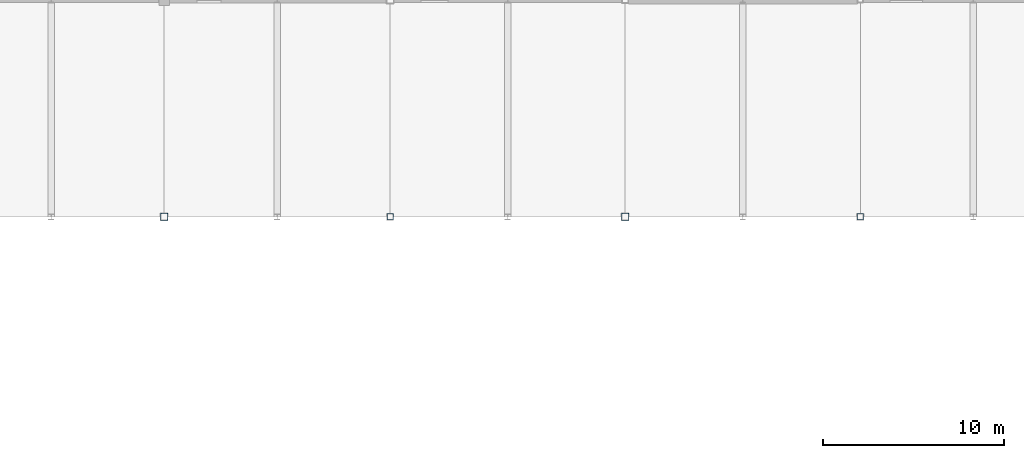
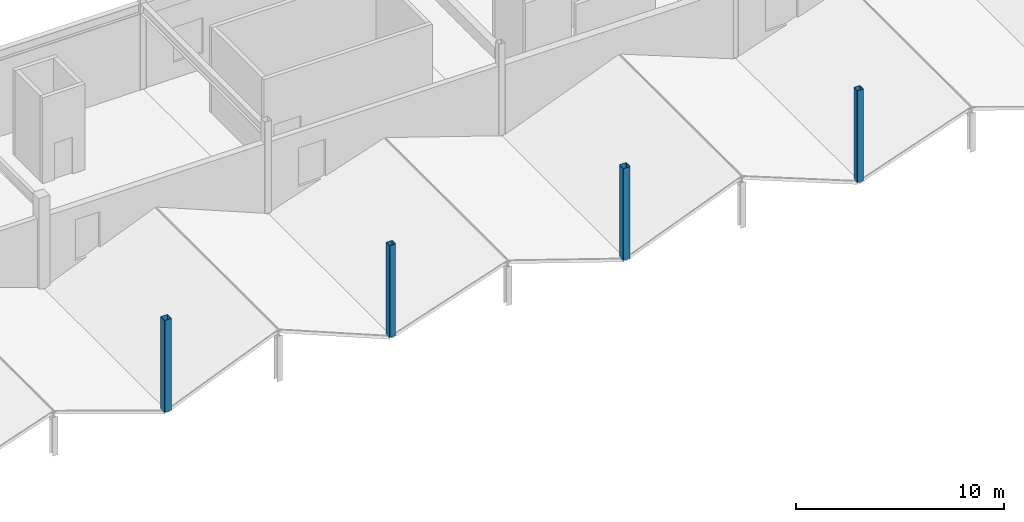
# One storey, part 11 of 76: 4 columns.
"""IFC4 building model written with IfcOpenShell, lengths in metres."""

from ifc_helpers import new_model, si_unit, direction, frame, origin, origin_2d, place, context, subcontext, project, spatial, hollow_rectangle, extrude, material, material_profile, profile_set, type_object, element, save


model = new_model("IFC4")

# Units and contexts
model_context = context("Model", 3, precision=1e-05, world=origin(), true_north=direction((0.0, 1.0)))
body_context = subcontext(model_context, "Body", "Model", "MODEL_VIEW")
ifc_project = project(units=[si_unit("LENGTHUNIT", "METRE"), si_unit("AREAUNIT", "SQUARE_METRE"), si_unit("VOLUMEUNIT", "CUBIC_METRE"), si_unit("PLANEANGLEUNIT", "RADIAN"), si_unit("MASSUNIT", "GRAM", prefix="KILO")], contexts=[model_context])

# Site, building, storey
site_placement = place(None, origin())
site = spatial("IfcSite", under=ifc_project, at=site_placement, CompositionType="ELEMENT")
building_placement = place(site_placement, origin())
building = spatial("IfcBuilding", under=site, at=building_placement, Name="Kazenohara Klinker Stadium", CompositionType="ELEMENT")
storey_placement = place(building_placement, frame((0.0, 0.0, 25.800048828125)))
storey = spatial("IfcBuildingStorey", under=building, at=storey_placement, Name="L05", CompositionType="ELEMENT", Elevation=25.800048828125)

# Columns
ifc_material = material(Name="Steel S355", Category="steel")
ifc_material_profile_1 = material_profile(ifc_material, hollow_rectangle(XDim=0.39990234375, YDim=0.39990234375, WallThickness=0.01611328125, InnerFilletRadius=0.01611328125, OuterFilletRadius=0.031982421875, at=origin_2d()), Name="SHS-400x400x16")
ifc_profile_set_1 = profile_set([ifc_material_profile_1], Name="Steel S355")
column_type_1 = type_object("IfcColumnType", Name="COL-ST01", PredefinedType="COLUMN", material=ifc_profile_set_1)
for number, where, z_axis, x_axis, name in (
    (1, (86.5, 132.0, 0.0), (0.0, 0.0, 1.0), (1.0, 0.0, 0.0), "Canopy ring support column SC01 L05 8/M"),
    (2, (112.0, 132.0, 0.0), (0.0, 0.0, 1.0), (1.0, 0.0, 0.0), "Canopy ring support column SC01 L05 10/M"),
):
    element("IfcColumn", number, at=place(storey_placement, frame(where, z_axis=z_axis, x_axis=x_axis)), inside=storey, type_object=column_type_1, Name=name, PredefinedType="COLUMN", context=body_context, shape_type="SweptSolid", body=[
        extrude(hollow_rectangle(XDim=0.39990234375, YDim=0.39990234375, WallThickness=0.01611328125, InnerFilletRadius=0.01611328125, OuterFilletRadius=0.031982421875, at=origin_2d()), origin(), (0.0, 0.0, 1.0), 5.39990234375),
    ])
ifc_material_profile_2 = material_profile(ifc_material, hollow_rectangle(XDim=0.35009765625, YDim=0.35009765625, WallThickness=0.01611328125, InnerFilletRadius=0.01611328125, OuterFilletRadius=0.031982421875, at=origin_2d()), Name="SHS-350x350x16")
ifc_profile_set_2 = profile_set([ifc_material_profile_2], Name="Steel S355")
column_type_2 = type_object("IfcColumnType", Name="COL-ST02", PredefinedType="COLUMN", material=ifc_profile_set_2)
for number, where, z_axis, x_axis, name in (
    (3, (99.0, 132.0, 0.0), (0.0, 0.0, 1.0), (1.0, 0.0, 0.0), "Canopy ring support column SC02 L05 9/M"),
    (4, (125.0, 132.0, 0.0), (0.0, 0.0, 1.0), (1.0, 0.0, 0.0), "Canopy ring support column SC02 L05 11/M"),
):
    element("IfcColumn", number, at=place(storey_placement, frame(where, z_axis=z_axis, x_axis=x_axis)), inside=storey, type_object=column_type_2, Name=name, PredefinedType="COLUMN", context=body_context, shape_type="SweptSolid", body=[
        extrude(hollow_rectangle(XDim=0.35009765625, YDim=0.35009765625, WallThickness=0.01611328125, InnerFilletRadius=0.01611328125, OuterFilletRadius=0.031982421875, at=origin_2d()), origin(), (0.0, 0.0, 1.0), 5.39990234375),
    ])

save(model, "model.ifc")
